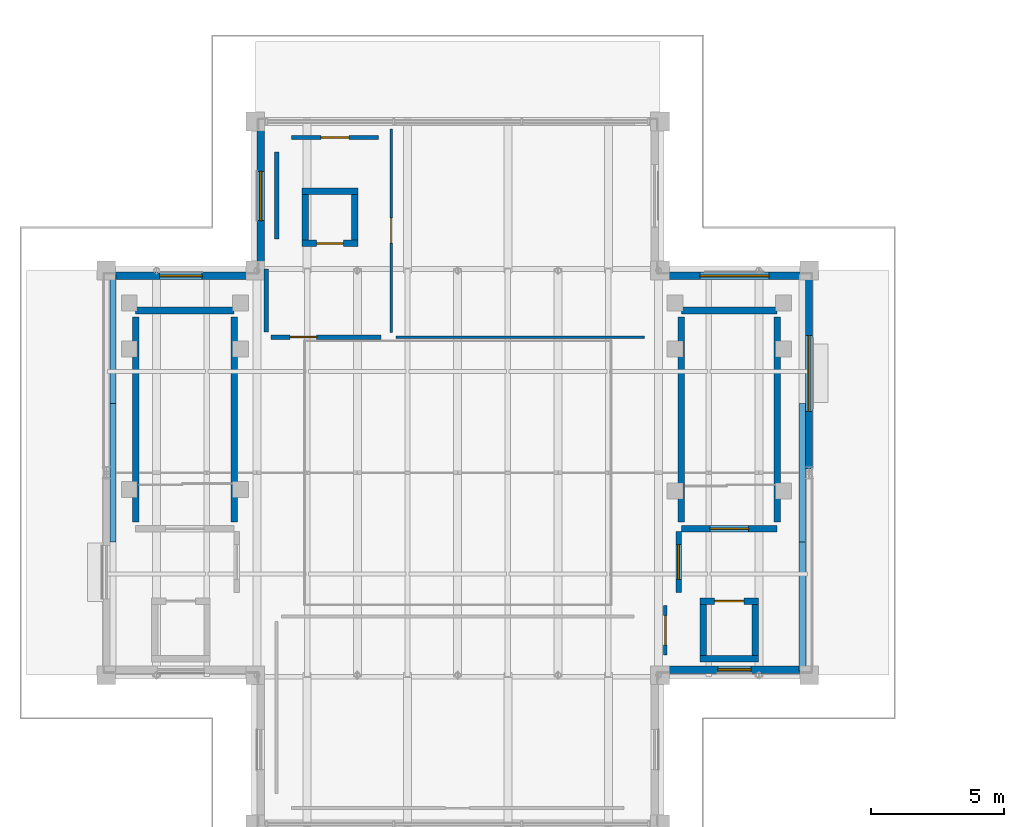
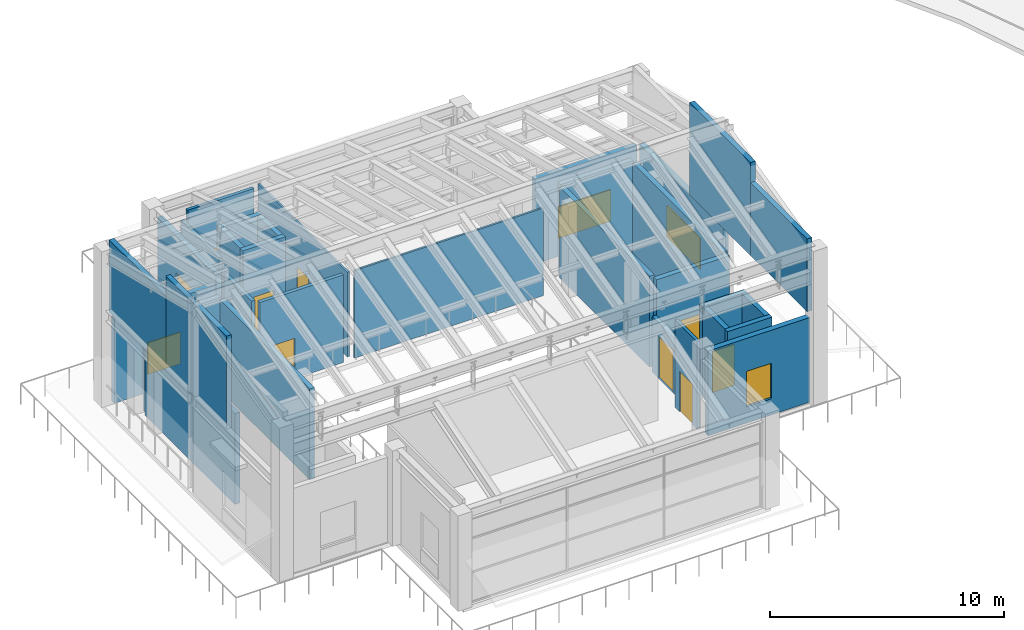
# One storey, part 7 of 11: 32 walls, 8 doors, 5 windows, 13 openings.
"""IFC4 building model written with IfcOpenShell, lengths in metres."""

from ifc_helpers import new_model, si_unit, direction, frame, frame_2d, origin, place, context, subcontext, project, spatial, rectangle, extrude, material, layer, layer_set, type_object, element, fill, save


model = new_model("IFC4")

# Units and contexts
model_context = context("Model", 3, precision=1e-05, world=origin(), true_north=direction((0.0, 1.0)))
body_context = subcontext(model_context, "Body", "Model", "MODEL_VIEW")
ifc_project = project(units=[si_unit("LENGTHUNIT", "METRE"), si_unit("AREAUNIT", "SQUARE_METRE"), si_unit("VOLUMEUNIT", "CUBIC_METRE"), si_unit("PLANEANGLEUNIT", "RADIAN"), si_unit("MASSUNIT", "GRAM", prefix="KILO")], contexts=[model_context])

# Site, building, storey
site_placement = place(None, origin())
site = spatial("IfcSite", under=ifc_project, at=site_placement, CompositionType="ELEMENT")
building_placement = place(site_placement, origin())
building = spatial("IfcBuilding", under=site, at=building_placement, Name="Saryqyr Civic Hall", CompositionType="ELEMENT")
storey_placement = place(building_placement, frame((0.0, 0.0, 29.39990234375)))
storey = spatial("IfcBuildingStorey", under=building, at=storey_placement, Name="L07", CompositionType="ELEMENT", Elevation=29.39990234375)

# Walls
ifc_material_1 = material(Name="Precast concrete C40/50", Category="concrete")
ifc_layer_1 = layer(ifc_material_1, 0.239990234375, Name="Precast concrete C40/50")
ifc_layer_set_1 = layer_set([ifc_layer_1], Name="Precast concrete C40/50")
wall_type_1 = type_object("IfcWallType", Name="ENV-WAL-EXT-240", PredefinedType="STANDARD", material=ifc_layer_set_1)
wall_1_placement = place(storey_placement, frame((44.050048828125, 81.39990234375, 4.7001953125), z_axis=(0.0, 0.0, 1.0), x_axis=(0.0, 1.0, 0.0)))
element("IfcWall", 1, at=wall_1_placement, inside=storey, type_object=wall_type_1, Name="Council Chamber crown gable infill wall W-2", PredefinedType="STANDARD", context=body_context, shape_type="SweptSolid", body=[
    extrude(rectangle(XDim=5.2001953125, YDim=0.239990234375, at=frame_2d((2.60009765625, 0.0))), origin(), (0.0, 0.0, 1.0), 4.849853515625),
])
for number, where, z_axis, x_axis, name in (
    (2, (44.050048828125, 86.60009765625, 4.7001953125), (0.0, 0.0, 1.0), (0.0, 1.0, 0.0), "Council Chamber crown gable infill wall W-3"),
    (3, (69.949951171875, 81.39990234375, 4.7001953125), (0.0, 0.0, 1.0), (0.0, -1.0, 0.0), "Council Chamber crown gable infill wall E-1"),
):
    element("IfcWall", number, at=place(storey_placement, frame(where, z_axis=z_axis, x_axis=x_axis)), inside=storey, type_object=wall_type_1, Name=name, PredefinedType="STANDARD", context=body_context, shape_type="SweptSolid", body=[
        extrude(rectangle(XDim=4.849853515625, YDim=0.239990234375, at=frame_2d((2.4248046875, 0.0))), origin(), (0.0, 0.0, 1.0), 3.7998046875),
    ])
wall_2_placement = place(storey_placement, frame((69.949951171875, 86.60009765625, 4.7001953125), z_axis=(0.0, 0.0, 1.0), x_axis=(0.0, -1.0, 0.0)))
element("IfcWall", 4, at=wall_2_placement, inside=storey, type_object=wall_type_1, Name="Council Chamber crown gable infill wall E-2", PredefinedType="STANDARD", context=body_context, shape_type="SweptSolid", body=[
    extrude(rectangle(XDim=5.2001953125, YDim=0.239990234375, at=frame_2d((2.60009765625, 0.0))), origin(), (0.0, 0.0, 1.0), 4.849853515625),
])

# Wall, opening, window
ifc_layer_2 = layer(ifc_material_1, 0.27001953125, Name="Precast concrete C40/50")
ifc_layer_set_2 = layer_set([ifc_layer_2], Name="Precast concrete C40/50")
wall_type_2 = type_object("IfcWallType", Name="ENV-WAL-EXT-270", PredefinedType="STANDARD", material=ifc_layer_set_2)
wall_3_placement = place(storey_placement, frame((44.0849609375, 91.39990234375, 0.0), z_axis=(0.0, 0.0, 1.0), x_axis=(1.0, 0.0, 0.0)))
wall_3 = element("IfcWall", 5, at=wall_3_placement, inside=storey, type_object=wall_type_2, Name="Exterior wall V1-EW-L07-03", PredefinedType="STANDARD", context=body_context, shape_type="SweptSolid", body=[
    extrude(rectangle(XDim=5.030029296875, YDim=0.27001953125, at=frame_2d((2.51513671875, 0.0))), origin(), (0.0, 0.0, 1.0), 4.425048828125),
])
opening_1_placement = place(wall_3_placement, frame((1.715087890625, 0.0, 0.85009765625)))
opening_1 = element("IfcOpeningElement", 6, at=opening_1_placement, cuts=wall_3, Name="Opening W-19", PredefinedType="OPENING", context=body_context, shape_type="SweptSolid", body=[
    extrude(rectangle(XDim=1.60009765625, YDim=1.64990234375, at=frame_2d((0.800048828125, 0.824951171875))), frame((0.0, 0.14501953125, 0.0), z_axis=(0.0, -1.0, 0.0), x_axis=(1.0, 0.0, 0.0)), (0.0, 0.0, 1.0), 0.2900390625),
])
ifc_material_2 = material(Name="Anodised aluminium and triple low-E glass", Category="aluminium")
window_type_1 = type_object("IfcWindowType", Name="ENV-WIN-W19", PartitioningType="SINGLE_PANEL", PredefinedType="WINDOW", material=ifc_material_2)
window_1_placement = place(opening_1_placement, origin())
window_1 = element("IfcWindow", 7, at=window_1_placement, inside=storey, type_object=window_type_1, Name="Chamber cluster window L07-03", OverallHeight=1.64990234375, OverallWidth=1.60009765625, PartitioningType="SINGLE_PANEL", PredefinedType="WINDOW", context=body_context, shape_type="SweptSolid", body=[
    extrude(rectangle(XDim=1.60009765625, YDim=1.64990234375, at=frame_2d((0.800048828125, 0.824951171875))), frame((0.0, 0.030029296875, 0.0), z_axis=(0.0, -1.0, 0.0), x_axis=(1.0, 0.0, 0.0)), (0.0, 0.0, 1.0), 0.06005859375),
])
fill(opening_1, window_1)

wall_4_placement = place(storey_placement, frame((49.60009765625, 91.885009765625, 0.0), z_axis=(0.0, 0.0, 1.0), x_axis=(0.0, 1.0, 0.0)))
wall_4 = element("IfcWall", 8, at=wall_4_placement, inside=storey, type_object=wall_type_2, Name="Exterior wall V1-EW-L07-04", PredefinedType="STANDARD", context=body_context, shape_type="SweptSolid", body=[
    extrude(rectangle(XDim=5.030029296875, YDim=0.27001953125, at=frame_2d((2.51513671875, 0.0))), origin(), (0.0, 0.0, 1.0), 4.425048828125),
])
opening_2_placement = place(wall_4_placement, frame((1.590087890625, 0.0, 0.85009765625)))
opening_2 = element("IfcOpeningElement", 9, at=opening_2_placement, cuts=wall_4, Name="Opening W-20", PredefinedType="OPENING", context=body_context, shape_type="SweptSolid", body=[
    extrude(rectangle(XDim=1.85009765625, YDim=1.64990234375, at=frame_2d((0.925048828125, 0.824951171875))), frame((0.0, 0.14501953125, 0.0), z_axis=(0.0, -1.0, 0.0), x_axis=(1.0, 0.0, 0.0)), (0.0, 0.0, 1.0), 0.2900390625),
])
window_type_2 = type_object("IfcWindowType", Name="ENV-WIN-W20", PartitioningType="SINGLE_PANEL", PredefinedType="WINDOW", material=ifc_material_2)
window_2_placement = place(opening_2_placement, origin())
window_2 = element("IfcWindow", 10, at=window_2_placement, inside=storey, type_object=window_type_2, Name="Chamber cluster window L07-04", OverallHeight=1.64990234375, OverallWidth=1.85009765625, PartitioningType="SINGLE_PANEL", PredefinedType="WINDOW", context=body_context, shape_type="SweptSolid", body=[
    extrude(rectangle(XDim=1.85009765625, YDim=1.64990234375, at=frame_2d((0.925048828125, 0.824951171875))), frame((0.0, 0.030029296875, 0.0), z_axis=(0.0, -1.0, 0.0), x_axis=(1.0, 0.0, 0.0)), (0.0, 0.0, 1.0), 0.06005859375),
])
fill(opening_2, window_2)

wall_5_placement = place(storey_placement, frame((64.885009765625, 91.39990234375, 0.0), z_axis=(0.0, 0.0, 1.0), x_axis=(1.0, 0.0, 0.0)))
wall_5 = element("IfcWall", 11, at=wall_5_placement, inside=storey, type_object=wall_type_2, Name="Exterior wall V1-EW-L07-07", PredefinedType="STANDARD", context=body_context, shape_type="SweptSolid", body=[
    extrude(rectangle(XDim=5.030029296875, YDim=0.27001953125, at=frame_2d((2.51513671875, 0.0))), origin(), (0.0, 0.0, 1.0), 4.425048828125),
])
opening_3_placement = place(wall_5_placement, frame((1.215087890625, 0.0, 0.85009765625)))
opening_3 = element("IfcOpeningElement", 12, at=opening_3_placement, cuts=wall_5, Name="Opening W-23", PredefinedType="OPENING", context=body_context, shape_type="SweptSolid", body=[
    extrude(rectangle(XDim=2.60009765625, YDim=1.64990234375, at=frame_2d((1.300048828125, 0.824951171875))), frame((0.0, 0.14501953125, 0.0), z_axis=(0.0, -1.0, 0.0), x_axis=(1.0, 0.0, 0.0)), (0.0, 0.0, 1.0), 0.2900390625),
])
window_type_3 = type_object("IfcWindowType", Name="ENV-WIN-W23", PartitioningType="SINGLE_PANEL", PredefinedType="WINDOW", material=ifc_material_2)
window_3_placement = place(opening_3_placement, origin())
window_3 = element("IfcWindow", 13, at=window_3_placement, inside=storey, type_object=window_type_3, Name="Chamber cluster window L07-07", OverallHeight=1.64990234375, OverallWidth=2.60009765625, PartitioningType="SINGLE_PANEL", PredefinedType="WINDOW", context=body_context, shape_type="SweptSolid", body=[
    extrude(rectangle(XDim=2.60009765625, YDim=1.64990234375, at=frame_2d((1.300048828125, 0.824951171875))), frame((0.0, 0.030029296875, 0.0), z_axis=(0.0, -1.0, 0.0), x_axis=(1.0, 0.0, 0.0)), (0.0, 0.0, 1.0), 0.06005859375),
])
fill(opening_3, window_3)

wall_6_placement = place(storey_placement, frame((70.199951171875, 91.31494140625, 0.0), z_axis=(0.0, 0.0, 1.0), x_axis=(0.0, -1.0, 0.0)))
wall_6 = element("IfcWall", 14, at=wall_6_placement, inside=storey, type_object=wall_type_2, Name="Exterior wall V1-EW-L07-08", PredefinedType="STANDARD", context=body_context, shape_type="SweptSolid", body=[
    extrude(rectangle(XDim=7.1650390625, YDim=0.27001953125, at=frame_2d((3.58251953125, 0.0))), origin(), (0.0, 0.0, 1.0), 4.425048828125),
])
opening_4_placement = place(wall_6_placement, frame((2.156982421875, 0.0, 0.85009765625)))
opening_4 = element("IfcOpeningElement", 15, at=opening_4_placement, cuts=wall_6, Name="Opening W-24", PredefinedType="OPENING", context=body_context, shape_type="SweptSolid", body=[
    extrude(rectangle(XDim=2.85009765625, YDim=1.64990234375, at=frame_2d((1.425048828125, 0.824951171875))), frame((0.0, 0.14501953125, 0.0), z_axis=(0.0, -1.0, 0.0), x_axis=(1.0, 0.0, 0.0)), (0.0, 0.0, 1.0), 0.2900390625),
])
window_type_4 = type_object("IfcWindowType", Name="ENV-WIN-W24", PartitioningType="SINGLE_PANEL", PredefinedType="WINDOW", material=ifc_material_2)
window_4_placement = place(opening_4_placement, origin())
window_4 = element("IfcWindow", 16, at=window_4_placement, inside=storey, type_object=window_type_4, Name="Chamber cluster window L07-08", OverallHeight=1.64990234375, OverallWidth=2.85009765625, PartitioningType="SINGLE_PANEL", PredefinedType="WINDOW", context=body_context, shape_type="SweptSolid", body=[
    extrude(rectangle(XDim=2.85009765625, YDim=1.64990234375, at=frame_2d((1.425048828125, 0.824951171875))), frame((0.0, 0.030029296875, 0.0), z_axis=(0.0, -1.0, 0.0), x_axis=(1.0, 0.0, 0.0)), (0.0, 0.0, 1.0), 0.06005859375),
])
fill(opening_4, window_4)

wall_7_placement = place(storey_placement, frame((69.9150390625, 76.60009765625, 0.0), z_axis=(0.0, 0.0, 1.0), x_axis=(-1.0, 0.0, 0.0)))
wall_7 = element("IfcWall", 17, at=wall_7_placement, inside=storey, type_object=wall_type_2, Name="Exterior wall V1-EW-L07-09", PredefinedType="STANDARD", context=body_context, shape_type="SweptSolid", body=[
    extrude(rectangle(XDim=5.030029296875, YDim=0.27001953125, at=frame_2d((2.51513671875, 0.0))), origin(), (0.0, 0.0, 1.0), 4.425048828125),
])
opening_5_placement = place(wall_7_placement, frame((1.889892578125, 0.0, 0.85009765625)))
opening_5 = element("IfcOpeningElement", 18, at=opening_5_placement, cuts=wall_7, Name="Opening W-25", PredefinedType="OPENING", context=body_context, shape_type="SweptSolid", body=[
    extrude(rectangle(XDim=1.25, YDim=1.85009765625, at=frame_2d((0.625, 0.925048828125))), frame((0.0, 0.14501953125, 0.0), z_axis=(0.0, -1.0, 0.0), x_axis=(1.0, 0.0, 0.0)), (0.0, 0.0, 1.0), 0.2900390625),
])
window_type_5 = type_object("IfcWindowType", Name="ENV-WIN-W25", PartitioningType="SINGLE_PANEL", PredefinedType="WINDOW", material=ifc_material_2)
window_5_placement = place(opening_5_placement, origin())
window_5 = element("IfcWindow", 19, at=window_5_placement, inside=storey, type_object=window_type_5, Name="Chamber cluster window L07-09", OverallHeight=1.85009765625, OverallWidth=1.25, PartitioningType="SINGLE_PANEL", PredefinedType="WINDOW", context=body_context, shape_type="SweptSolid", body=[
    extrude(rectangle(XDim=1.25, YDim=1.85009765625, at=frame_2d((0.625, 0.925048828125))), frame((0.0, 0.030029296875, 0.0), z_axis=(0.0, -1.0, 0.0), x_axis=(1.0, 0.0, 0.0)), (0.0, 0.0, 1.0), 0.06005859375),
])
fill(opening_5, window_5)

# Wall, opening, door
ifc_material_3 = material(Name="Autoclaved aerated concrete blockwork", Category="masonry")
ifc_layer_3 = layer(ifc_material_3, 0.199951171875, Name="Autoclaved aerated concrete blockwork")
ifc_layer_set_3 = layer_set([ifc_layer_3], Name="Autoclaved aerated concrete blockwork")
wall_type_3 = type_object("IfcWallType", Name="INT-WAL-FIR-200", PredefinedType="PARTITIONING", material=ifc_layer_set_3)
wall_8_placement = place(storey_placement, frame((65.300048828125, 79.5, 0.0), z_axis=(0.0, 0.0, 1.0), x_axis=(0.0, 1.0, 0.0)))
wall_8 = element("IfcWall", 20, at=wall_8_placement, inside=storey, type_object=wall_type_3, Name="Firefighting lift lobby enclosure wall LF-02 L07", PredefinedType="PARTITIONING", context=body_context, shape_type="SweptSolid", body=[
    extrude(rectangle(XDim=2.300048828125, YDim=0.199951171875, at=frame_2d((1.14990234375, 0.0))), origin(), (0.0, 0.0, 1.0), 2.900146484375),
])
opening_6_placement = place(wall_8_placement, frame((0.5, 0.0, 0.0)))
opening_6 = element("IfcOpeningElement", 21, at=opening_6_placement, cuts=wall_8, Name="Opening FD-01", PredefinedType="OPENING", context=body_context, shape_type="SweptSolid", body=[
    extrude(rectangle(XDim=1.300048828125, YDim=2.199951171875, at=frame_2d((0.64990234375, 1.10009765625))), frame((0.0, 0.10986328125, 0.0), z_axis=(0.0, -1.0, 0.0), x_axis=(1.0, 0.0, 0.0)), (0.0, 0.0, 1.0), 0.219970703125),
])
ifc_material_4 = material(Name="Painted galvanized steel", Category="steel")
door_type_1 = type_object("IfcDoorType", Name="INT-DR-FFLOB-1300x2200", OperationType="NOTDEFINED", PredefinedType="DOOR", material=ifc_material_4)
door_1_placement = place(opening_6_placement, origin())
door_1 = element("IfcDoor", 22, at=door_1_placement, inside=storey, type_object=door_type_1, Name="Firefighting lift lobby smoke-control door LF-02 L07", OperationType="SINGLE_SWING_RIGHT", OverallHeight=2.199951171875, OverallWidth=1.300048828125, PredefinedType="DOOR", context=body_context, shape_type="SweptSolid", body=[
    extrude(rectangle(XDim=1.300048828125, YDim=2.199951171875, at=frame_2d((0.64990234375, 1.10009765625))), frame((0.0, 0.02490234375, 0.0), z_axis=(0.0, -1.0, 0.0), x_axis=(1.0, 0.0, 0.0)), (0.0, 0.0, 1.0), 0.050048828125),
])
fill(opening_6, door_1)

# Wall
ifc_material_5 = material(Name="Lightweight demountable partition", Category="gypsum")
ifc_layer_4 = layer(ifc_material_5, 0.094970703125, Name="Lightweight demountable partition")
ifc_layer_set_4 = layer_set([ifc_layer_4], Name="Lightweight demountable partition")
wall_type_4 = type_object("IfcWallType", Name="INT-WAL-PRT-095", PredefinedType="PARTITIONING", material=ifc_layer_set_4)
wall_9_placement = place(storey_placement, frame((64.02001953125, 89.10009765625, 0.0), z_axis=(0.0, 0.0, 1.0), x_axis=(-1.0, 0.0, 0.0)))
element("IfcWall", 23, at=wall_9_placement, inside=storey, type_object=wall_type_4, Name="Interior partition PRT-SP-V1-L07-R02-W1", PredefinedType="PARTITIONING", context=body_context, shape_type="SweptSolid", body=[
    extrude(rectangle(XDim=9.340087890625, YDim=0.094970703125, at=frame_2d((4.669921875, 0.0))), origin(), (0.0, 0.0, 1.0), 4.570068359375),
])

# Wall, opening, door
wall_10_placement = place(storey_placement, frame((54.5, 89.280029296875, 0.0), z_axis=(0.0, 0.0, 1.0), x_axis=(0.0, 1.0, 0.0)))
wall_10 = element("IfcWall", 24, at=wall_10_placement, inside=storey, type_object=wall_type_4, Name="Interior partition PRT-SP-V1-L07-R02-W2", PredefinedType="PARTITIONING", context=body_context, shape_type="SweptSolid", body=[
    extrude(rectangle(XDim=7.639892578125, YDim=0.094970703125, at=frame_2d((3.81982421875, 0.0))), origin(), (0.0, 0.0, 1.0), 4.425048828125),
])
opening_7_placement = place(wall_10_placement, frame((3.344970703125, 0.0, 0.0)))
opening_7 = element("IfcOpeningElement", 25, at=opening_7_placement, cuts=wall_10, Name="Opening D-02", PredefinedType="OPENING", context=body_context, shape_type="SweptSolid", body=[
    extrude(rectangle(XDim=0.949951171875, YDim=2.10009765625, at=frame_2d((0.47509765625, 1.050048828125))), frame((0.0, 0.057373046875, 0.0), z_axis=(0.0, -1.0, 0.0), x_axis=(1.0, 0.0, 0.0)), (0.0, 0.0, 1.0), 0.114990234375),
])
ifc_material_6 = material(Name="Acoustic solid-core oak veneer", Category="wood")
door_type_2 = type_object("IfcDoorType", Name="INT-DR-D-02", OperationType="NOTDEFINED", PredefinedType="DOOR", material=ifc_material_6)
door_2_placement = place(opening_7_placement, origin())
door_2 = element("IfcDoor", 26, at=door_2_placement, inside=storey, type_object=door_type_2, Name="Interior door Civic Observation Panorama Salon", OperationType="SINGLE_SWING_LEFT", OverallHeight=2.10009765625, OverallWidth=0.949951171875, PredefinedType="DOOR", context=body_context, shape_type="SweptSolid", body=[
    extrude(rectangle(XDim=0.949951171875, YDim=2.10009765625, at=frame_2d((0.47509765625, 1.050048828125))), frame((0.0, 0.02490234375, 0.0), z_axis=(0.0, -1.0, 0.0), x_axis=(1.0, 0.0, 0.0)), (0.0, 0.0, 1.0), 0.050048828125),
])
fill(opening_7, door_2)

ifc_material_7 = material(Name="Metal-stud gypsum board partition", Category="gypsum")
ifc_layer_5 = layer(ifc_material_7, 0.139892578125, Name="Metal-stud gypsum board partition")
ifc_layer_set_5 = layer_set([ifc_layer_5], Name="Metal-stud gypsum board partition")
wall_type_5 = type_object("IfcWallType", Name="INT-WAL-PRT-140", PredefinedType="PARTITIONING", material=ifc_layer_set_5)
wall_11_placement = place(storey_placement, frame((64.800048828125, 77.14990234375, 0.0), z_axis=(0.0, 0.0, 1.0), x_axis=(0.0, 1.0, 0.0)))
wall_11 = element("IfcWall", 27, at=wall_11_placement, inside=storey, type_object=wall_type_5, Name="Interior partition PRT-SP-V1-L07-R05-W1", PredefinedType="PARTITIONING", context=body_context, shape_type="SweptSolid", body=[
    extrude(rectangle(XDim=1.8701171875, YDim=0.139892578125, at=frame_2d((0.93505859375, 0.0))), origin(), (0.0, 0.0, 1.0), 4.570068359375),
])
opening_8_placement = place(wall_11_placement, frame((0.385009765625, 0.0, 0.0)))
opening_8 = element("IfcOpeningElement", 28, at=opening_8_placement, cuts=wall_11, Name="Opening D-05", PredefinedType="OPENING", context=body_context, shape_type="SweptSolid", body=[
    extrude(rectangle(XDim=1.10009765625, YDim=2.10009765625, at=frame_2d((0.550048828125, 1.050048828125))), frame((0.0, 0.079833984375, 0.0), z_axis=(0.0, -1.0, 0.0), x_axis=(1.0, 0.0, 0.0)), (0.0, 0.0, 1.0), 0.159912109375),
])
door_type_3 = type_object("IfcDoorType", Name="INT-DR-D-05", OperationType="NOTDEFINED", PredefinedType="DOOR", material=ifc_material_6)
door_3_placement = place(opening_8_placement, origin())
door_3 = element("IfcDoor", 29, at=door_3_placement, inside=storey, type_object=door_type_3, Name="Interior door Visitor Toilet and Accessible MGN WC", OperationType="SINGLE_SWING_RIGHT", OverallHeight=2.10009765625, OverallWidth=1.10009765625, PredefinedType="DOOR", context=body_context, shape_type="SweptSolid", body=[
    extrude(rectangle(XDim=1.10009765625, YDim=2.10009765625, at=frame_2d((0.550048828125, 1.050048828125))), frame((0.0, 0.02490234375, 0.0), z_axis=(0.0, -1.0, 0.0), x_axis=(1.0, 0.0, 0.0)), (0.0, 0.0, 1.0), 0.050048828125),
])
fill(opening_8, door_3)

# Wall
ifc_material_8 = material(Name="Acoustic double-stud gypsum board", Category="gypsum")
ifc_layer_6 = layer(ifc_material_8, 0.155029296875, Name="Acoustic double-stud gypsum board")
ifc_layer_set_6 = layer_set([ifc_layer_6], Name="Acoustic double-stud gypsum board")
wall_type_6 = type_object("IfcWallType", Name="INT-WAL-PRT-155", PredefinedType="PARTITIONING", material=ifc_layer_set_6)
wall_12_placement = place(storey_placement, frame((50.199951171875, 92.780029296875, 0.0), z_axis=(0.0, 0.0, 1.0), x_axis=(0.0, 1.0, 0.0)))
element("IfcWall", 30, at=wall_12_placement, inside=storey, type_object=wall_type_6, Name="Interior partition PRT-SP-V1-L07-R04-W1", PredefinedType="PARTITIONING", context=body_context, shape_type="SweptSolid", body=[
    extrude(rectangle(XDim=3.27001953125, YDim=0.155029296875, at=frame_2d((1.635009765625, 0.0))), origin(), (0.0, 0.0, 1.0), 4.570068359375),
])

# Wall, opening, door
wall_13_placement = place(storey_placement, frame((50.75, 96.60009765625, 0.0), z_axis=(0.0, 0.0, 1.0), x_axis=(1.0, 0.0, 0.0)))
wall_13 = element("IfcWall", 31, at=wall_13_placement, inside=storey, type_object=wall_type_6, Name="Interior partition PRT-SP-V1-L07-R04-W2", PredefinedType="PARTITIONING", context=body_context, shape_type="SweptSolid", body=[
    extrude(rectangle(XDim=3.27001953125, YDim=0.155029296875, at=frame_2d((1.635009765625, 0.0))), origin(), (0.0, 0.0, 1.0), 4.570068359375),
])
opening_9_placement = place(wall_13_placement, frame((1.110107421875, 0.0, 0.0)))
opening_9 = element("IfcOpeningElement", 32, at=opening_9_placement, cuts=wall_13, Name="Opening D-04", PredefinedType="OPENING", context=body_context, shape_type="SweptSolid", body=[
    extrude(rectangle(XDim=1.050048828125, YDim=2.10009765625, at=frame_2d((0.52490234375, 1.050048828125))), frame((0.0, 0.08740234375, 0.0), z_axis=(0.0, -1.0, 0.0), x_axis=(1.0, 0.0, 0.0)), (0.0, 0.0, 1.0), 0.175048828125),
])
door_type_4 = type_object("IfcDoorType", Name="INT-DR-D-04", OperationType="NOTDEFINED", PredefinedType="DOOR", material=ifc_material_6)
door_4_placement = place(opening_9_placement, origin())
door_4 = element("IfcDoor", 33, at=door_4_placement, inside=storey, type_object=door_type_4, Name="Interior door Webcast Media Commentary Booth", OperationType="SINGLE_SWING_LEFT", OverallHeight=2.10009765625, OverallWidth=1.050048828125, PredefinedType="DOOR", context=body_context, shape_type="SweptSolid", body=[
    extrude(rectangle(XDim=1.050048828125, YDim=2.10009765625, at=frame_2d((0.52490234375, 1.050048828125))), frame((0.0, 0.02490234375, 0.0), z_axis=(0.0, -1.0, 0.0), x_axis=(1.0, 0.0, 0.0)), (0.0, 0.0, 1.0), 0.050048828125),
])
fill(opening_9, door_4)

ifc_layer_7 = layer(ifc_material_8, 0.169921875, Name="Acoustic double-stud gypsum board")
ifc_layer_set_7 = layer_set([ifc_layer_7], Name="Acoustic double-stud gypsum board")
wall_type_7 = type_object("IfcWallType", Name="INT-WAL-PRT-170", PredefinedType="PARTITIONING", material=ifc_layer_set_7)
wall_14_placement = place(storey_placement, frame((54.1201171875, 89.10009765625, 0.0), z_axis=(0.0, 0.0, 1.0), x_axis=(-1.0, 0.0, 0.0)))
wall_14 = element("IfcWall", 34, at=wall_14_placement, inside=storey, type_object=wall_type_7, Name="Interior partition PRT-SP-V1-L07-R03-W1", PredefinedType="PARTITIONING", context=body_context, shape_type="SweptSolid", body=[
    extrude(rectangle(XDim=4.14013671875, YDim=0.169921875, at=frame_2d((2.070068359375, 0.0))), origin(), (0.0, 0.0, 1.0), 4.570068359375),
])
opening_10_placement = place(wall_14_placement, frame((2.419921875, 0.0, 0.0)))
opening_10 = element("IfcOpeningElement", 35, at=opening_10_placement, cuts=wall_14, Name="Opening D-03", PredefinedType="OPENING", context=body_context, shape_type="SweptSolid", body=[
    extrude(rectangle(XDim=1.0, YDim=2.10009765625, at=frame_2d((0.5, 1.050048828125))), frame((0.0, 0.094970703125, 0.0), z_axis=(0.0, -1.0, 0.0), x_axis=(1.0, 0.0, 0.0)), (0.0, 0.0, 1.0), 0.18994140625),
])
door_type_5 = type_object("IfcDoorType", Name="INT-DR-D-03", OperationType="NOTDEFINED", PredefinedType="DOOR", material=ifc_material_6)
door_5_placement = place(opening_10_placement, origin())
door_5 = element("IfcDoor", 36, at=door_5_placement, inside=storey, type_object=door_type_5, Name="Interior door Citizens' Accreditation Desk", OperationType="SINGLE_SWING_RIGHT", OverallHeight=2.10009765625, OverallWidth=1.0, PredefinedType="DOOR", context=body_context, shape_type="SweptSolid", body=[
    extrude(rectangle(XDim=1.0, YDim=2.10009765625, at=frame_2d((0.5, 1.050048828125))), frame((0.0, 0.02490234375, 0.0), z_axis=(0.0, -1.0, 0.0), x_axis=(1.0, 0.0, 0.0)), (0.0, 0.0, 1.0), 0.050048828125),
])
fill(opening_10, door_5)

# Walls
wall_15_placement = place(storey_placement, frame((49.800048828125, 89.280029296875, 0.0), z_axis=(0.0, 0.0, 1.0), x_axis=(0.0, 1.0, 0.0)))
element("IfcWall", 37, at=wall_15_placement, inside=storey, type_object=wall_type_7, Name="Interior partition PRT-SP-V1-L07-R03-W2", PredefinedType="PARTITIONING", context=body_context, shape_type="SweptSolid", body=[
    extrude(rectangle(XDim=2.369873046875, YDim=0.169921875, at=frame_2d((1.18505859375, 0.0))), origin(), (0.0, 0.0, 1.0), 4.570068359375),
])
ifc_material_9 = material(Name="Concrete C40/50", Category="concrete")
ifc_layer_8 = layer(ifc_material_9, 0.239990234375, Name="Concrete C40/50")
ifc_layer_set_8 = layer_set([ifc_layer_8], Name="Concrete C40/50")
wall_type_8 = type_object("IfcWallType", Name="INT-WAL-SHR-240", PredefinedType="SHEAR", material=ifc_layer_set_8)
wall_16_placement = place(storey_placement, frame((68.300048828125, 77.02001953125, 0.0), z_axis=(0.0, 0.0, 1.0), x_axis=(-1.0, 0.0, 0.0)))
element("IfcWall", 38, at=wall_16_placement, inside=storey, type_object=wall_type_8, Name="Lift shaft shear wall LF-02-SHW-S-L07", PredefinedType="SHEAR", context=body_context, shape_type="SweptSolid", body=[
    extrude(rectangle(XDim=2.199951171875, YDim=0.239990234375, at=frame_2d((1.10009765625, 0.0))), origin(), (0.0, 0.0, 1.0), 4.75),
])
wall_17_placement = place(storey_placement, frame((68.179931640625, 79.06005859375, 0.0), z_axis=(0.0, 0.0, 1.0), x_axis=(0.0, -1.0, 0.0)))
element("IfcWall", 39, at=wall_17_placement, inside=storey, type_object=wall_type_8, Name="Lift shaft shear wall LF-02-SHW-E-L07", PredefinedType="SHEAR", context=body_context, shape_type="SweptSolid", body=[
    extrude(rectangle(XDim=1.920166015625, YDim=0.239990234375, at=frame_2d((0.9599609375, 0.0))), origin(), (0.0, 0.0, 1.0), 4.75),
])

# Wall, opening, door
wall_18_placement = place(storey_placement, frame((66.10009765625, 79.179931640625, 0.0), z_axis=(0.0, 0.0, 1.0), x_axis=(1.0, 0.0, 0.0)))
wall_18 = element("IfcWall", 40, at=wall_18_placement, inside=storey, type_object=wall_type_8, Name="Lift shaft shear wall LF-02-SHW-N-L07", PredefinedType="SHEAR", context=body_context, shape_type="SweptSolid", body=[
    extrude(rectangle(XDim=2.199951171875, YDim=0.239990234375, at=frame_2d((1.10009765625, 0.0))), origin(), (0.0, 0.0, 1.0), 4.75),
])
opening_11_placement = place(wall_18_placement, frame((0.550048828125, 0.0, 0.0)))
opening_11 = element("IfcOpeningElement", 41, at=opening_11_placement, cuts=wall_18, Name="Opening LD-01", PredefinedType="OPENING", context=body_context, shape_type="SweptSolid", body=[
    extrude(rectangle(XDim=1.10009765625, YDim=2.14990234375, at=frame_2d((0.550048828125, 1.074951171875))), frame((0.0, 0.1298828125, 0.0), z_axis=(0.0, -1.0, 0.0), x_axis=(1.0, 0.0, 0.0)), (0.0, 0.0, 1.0), 0.260009765625),
])
ifc_material_10 = material(Name="Brushed stainless steel", Category="steel")
door_type_6 = type_object("IfcDoorType", Name="INT-DR-LD-1100x2150", OperationType="NOTDEFINED", PredefinedType="DOOR", material=ifc_material_10)
door_6_placement = place(opening_11_placement, origin())
door_6 = element("IfcDoor", 42, at=door_6_placement, inside=storey, type_object=door_type_6, Name="Lift sliding landing door LF-02 L07", OperationType="SLIDING_TO_RIGHT", OverallHeight=2.14990234375, OverallWidth=1.10009765625, PredefinedType="DOOR", context=body_context, shape_type="SweptSolid", body=[
    extrude(rectangle(XDim=1.10009765625, YDim=2.14990234375, at=frame_2d((0.550048828125, 1.074951171875))), frame((0.0, 0.02490234375, 0.0), z_axis=(0.0, -1.0, 0.0), x_axis=(1.0, 0.0, 0.0)), (0.0, 0.0, 1.0), 0.050048828125),
])
fill(opening_11, door_6)

# Wall
wall_19_placement = place(storey_placement, frame((66.219970703125, 77.139892578125, 0.0), z_axis=(0.0, 0.0, 1.0), x_axis=(0.0, 1.0, 0.0)))
element("IfcWall", 43, at=wall_19_placement, inside=storey, type_object=wall_type_8, Name="Lift shaft shear wall LF-02-SHW-W-L07", PredefinedType="SHEAR", context=body_context, shape_type="SweptSolid", body=[
    extrude(rectangle(XDim=1.920166015625, YDim=0.239990234375, at=frame_2d((0.9599609375, 0.0))), origin(), (0.0, 0.0, 1.0), 4.75),
])

# Wall, opening, door
wall_20_placement = place(storey_placement, frame((53.25, 92.6201171875, 0.0), z_axis=(0.0, 0.0, 1.0), x_axis=(-1.0, 0.0, 0.0)))
wall_20 = element("IfcWall", 44, at=wall_20_placement, inside=storey, type_object=wall_type_8, Name="Lift shaft shear wall LF-03-SHW-S-L07", PredefinedType="SHEAR", context=body_context, shape_type="SweptSolid", body=[
    extrude(rectangle(XDim=2.10009765625, YDim=0.239990234375, at=frame_2d((1.050048828125, 0.0))), origin(), (0.0, 0.0, 1.0), 4.75),
])
opening_12_placement = place(wall_20_placement, frame((0.550048828125, 0.0, 0.0)))
opening_12 = element("IfcOpeningElement", 45, at=opening_12_placement, cuts=wall_20, Name="Opening LD-02", PredefinedType="OPENING", context=body_context, shape_type="SweptSolid", body=[
    extrude(rectangle(XDim=1.0, YDim=2.14990234375, at=frame_2d((0.5, 1.074951171875))), frame((0.0, 0.1298828125, 0.0), z_axis=(0.0, -1.0, 0.0), x_axis=(1.0, 0.0, 0.0)), (0.0, 0.0, 1.0), 0.260009765625),
])
door_type_7 = type_object("IfcDoorType", Name="INT-DR-LD-1000x2150", OperationType="NOTDEFINED", PredefinedType="DOOR", material=ifc_material_10)
door_7_placement = place(opening_12_placement, origin())
door_7 = element("IfcDoor", 46, at=door_7_placement, inside=storey, type_object=door_type_7, Name="Lift sliding landing door LF-03 L07", OperationType="SLIDING_TO_LEFT", OverallHeight=2.14990234375, OverallWidth=1.0, PredefinedType="DOOR", context=body_context, shape_type="SweptSolid", body=[
    extrude(rectangle(XDim=1.0, YDim=2.14990234375, at=frame_2d((0.5, 1.074951171875))), frame((0.0, 0.02490234375, 0.0), z_axis=(0.0, -1.0, 0.0), x_axis=(1.0, 0.0, 0.0)), (0.0, 0.0, 1.0), 0.050048828125),
])
fill(opening_12, door_7)

# Walls
wall_21_placement = place(storey_placement, frame((53.1298828125, 94.4599609375, 0.0), z_axis=(0.0, 0.0, 1.0), x_axis=(0.0, -1.0, 0.0)))
element("IfcWall", 47, at=wall_21_placement, inside=storey, type_object=wall_type_8, Name="Lift shaft shear wall LF-03-SHW-E-L07", PredefinedType="SHEAR", context=body_context, shape_type="SweptSolid", body=[
    extrude(rectangle(XDim=1.719970703125, YDim=0.239990234375, at=frame_2d((0.85986328125, 0.0))), origin(), (0.0, 0.0, 1.0), 4.75),
])
wall_22_placement = place(storey_placement, frame((51.14990234375, 94.580078125, 0.0), z_axis=(0.0, 0.0, 1.0), x_axis=(1.0, 0.0, 0.0)))
element("IfcWall", 48, at=wall_22_placement, inside=storey, type_object=wall_type_8, Name="Lift shaft shear wall LF-03-SHW-N-L07", PredefinedType="SHEAR", context=body_context, shape_type="SweptSolid", body=[
    extrude(rectangle(XDim=2.10009765625, YDim=0.239990234375, at=frame_2d((1.050048828125, 0.0))), origin(), (0.0, 0.0, 1.0), 4.75),
])
wall_23_placement = place(storey_placement, frame((51.27001953125, 92.739990234375, 0.0), z_axis=(0.0, 0.0, 1.0), x_axis=(0.0, 1.0, 0.0)))
element("IfcWall", 49, at=wall_23_placement, inside=storey, type_object=wall_type_8, Name="Lift shaft shear wall LF-03-SHW-W-L07", PredefinedType="SHEAR", context=body_context, shape_type="SweptSolid", body=[
    extrude(rectangle(XDim=1.719970703125, YDim=0.239990234375, at=frame_2d((0.85986328125, 0.0))), origin(), (0.0, 0.0, 1.0), 4.75),
])
ifc_layer_9 = layer(ifc_material_9, 0.25, Name="Concrete C40/50")
ifc_layer_set_9 = layer_set([ifc_layer_9], Name="Concrete C40/50")
wall_type_9 = type_object("IfcWallType", Name="INT-WAL-SHR-250", PredefinedType="SHEAR", material=ifc_layer_set_9)
wall_24_placement = place(storey_placement, frame((44.89990234375, 82.14990234375, 0.0), z_axis=(0.0, 0.0, 1.0), x_axis=(0.0, 1.0, 0.0)))
element("IfcWall", 50, at=wall_24_placement, inside=storey, type_object=wall_type_9, Name="Protected stair shaft wall ST-1-SW2-L07", PredefinedType="SHEAR", context=body_context, shape_type="SweptSolid", body=[
    extrude(rectangle(XDim=7.7001953125, YDim=0.25, at=frame_2d((3.85009765625, 0.0))), origin(), (0.0, 0.0, 1.0), 4.75),
])
wall_25_placement = place(storey_placement, frame((44.89990234375, 90.10009765625, 0.0), z_axis=(0.0, 0.0, 1.0), x_axis=(1.0, 0.0, 0.0)))
element("IfcWall", 51, at=wall_25_placement, inside=storey, type_object=wall_type_9, Name="Protected stair shaft wall ST-1-SW3-L07", PredefinedType="SHEAR", context=body_context, shape_type="SweptSolid", body=[
    extrude(rectangle(XDim=3.7001953125, YDim=0.25, at=frame_2d((1.85009765625, 0.0))), origin(), (0.0, 0.0, 1.0), 4.75),
])
wall_26_placement = place(storey_placement, frame((48.60009765625, 89.85009765625, 0.0), z_axis=(0.0, 0.0, 1.0), x_axis=(0.0, -1.0, 0.0)))
element("IfcWall", 52, at=wall_26_placement, inside=storey, type_object=wall_type_9, Name="Protected stair shaft wall ST-1-SW4-L07", PredefinedType="SHEAR", context=body_context, shape_type="SweptSolid", body=[
    extrude(rectangle(XDim=7.7001953125, YDim=0.25, at=frame_2d((3.85009765625, 0.0))), origin(), (0.0, 0.0, 1.0), 4.75),
])

# Wall, opening, door
wall_27_placement = place(storey_placement, frame((69.0, 81.89990234375, 0.0), z_axis=(0.0, 0.0, 1.0), x_axis=(-1.0, 0.0, 0.0)))
wall_27 = element("IfcWall", 53, at=wall_27_placement, inside=storey, type_object=wall_type_9, Name="Protected stair shaft wall ST-2-SW1-L07", PredefinedType="SHEAR", context=body_context, shape_type="SweptSolid", body=[
    extrude(rectangle(XDim=3.60009765625, YDim=0.25, at=frame_2d((1.800048828125, 0.0))), origin(), (0.0, 0.0, 1.0), 4.75),
])
opening_13_placement = place(wall_27_placement, frame((1.074951171875, 0.0, 0.0)))
opening_13 = element("IfcOpeningElement", 54, at=opening_13_placement, cuts=wall_27, Name="Opening SD-02", PredefinedType="OPENING", context=body_context, shape_type="SweptSolid", body=[
    extrude(rectangle(XDim=1.449951171875, YDim=2.199951171875, at=frame_2d((0.72509765625, 1.10009765625))), frame((0.0, 0.135009765625, 0.0), z_axis=(0.0, -1.0, 0.0), x_axis=(1.0, 0.0, 0.0)), (0.0, 0.0, 1.0), 0.27001953125),
])
door_type_8 = type_object("IfcDoorType", Name="INT-DR-STAIR-1450x2200", OperationType="NOTDEFINED", PredefinedType="DOOR", material=ifc_material_4)
door_8_placement = place(opening_13_placement, origin())
door_8 = element("IfcDoor", 55, at=door_8_placement, inside=storey, type_object=door_type_8, Name="Exit stair landing fire door ST-2-L07", OperationType="SINGLE_SWING_RIGHT", OverallHeight=2.199951171875, OverallWidth=1.449951171875, PredefinedType="DOOR", context=body_context, shape_type="SweptSolid", body=[
    extrude(rectangle(XDim=1.449951171875, YDim=2.199951171875, at=frame_2d((0.72509765625, 1.10009765625))), frame((0.0, 0.02490234375, 0.0), z_axis=(0.0, -1.0, 0.0), x_axis=(1.0, 0.0, 0.0)), (0.0, 0.0, 1.0), 0.050048828125),
])
fill(opening_13, door_8)

# Walls
wall_28_placement = place(storey_placement, frame((65.39990234375, 82.14990234375, 0.0), z_axis=(0.0, 0.0, 1.0), x_axis=(0.0, 1.0, 0.0)))
element("IfcWall", 56, at=wall_28_placement, inside=storey, type_object=wall_type_9, Name="Protected stair shaft wall ST-2-SW2-L07", PredefinedType="SHEAR", context=body_context, shape_type="SweptSolid", body=[
    extrude(rectangle(XDim=7.7001953125, YDim=0.25, at=frame_2d((3.85009765625, 0.0))), origin(), (0.0, 0.0, 1.0), 4.75),
])
wall_29_placement = place(storey_placement, frame((65.39990234375, 90.10009765625, 0.0), z_axis=(0.0, 0.0, 1.0), x_axis=(1.0, 0.0, 0.0)))
element("IfcWall", 57, at=wall_29_placement, inside=storey, type_object=wall_type_9, Name="Protected stair shaft wall ST-2-SW3-L07", PredefinedType="SHEAR", context=body_context, shape_type="SweptSolid", body=[
    extrude(rectangle(XDim=3.60009765625, YDim=0.25, at=frame_2d((1.800048828125, 0.0))), origin(), (0.0, 0.0, 1.0), 4.75),
])
wall_30_placement = place(storey_placement, frame((69.0, 89.85009765625, 0.0), z_axis=(0.0, 0.0, 1.0), x_axis=(0.0, -1.0, 0.0)))
element("IfcWall", 58, at=wall_30_placement, inside=storey, type_object=wall_type_9, Name="Protected stair shaft wall ST-2-SW4-L07", PredefinedType="SHEAR", context=body_context, shape_type="SweptSolid", body=[
    extrude(rectangle(XDim=7.7001953125, YDim=0.25, at=frame_2d((3.85009765625, 0.0))), origin(), (0.0, 0.0, 1.0), 4.75),
])

save(model, "model.ifc")
